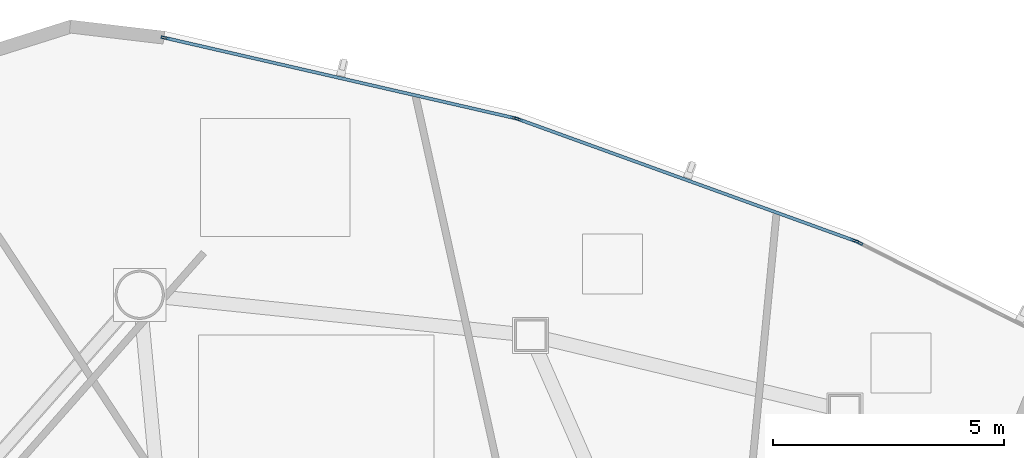
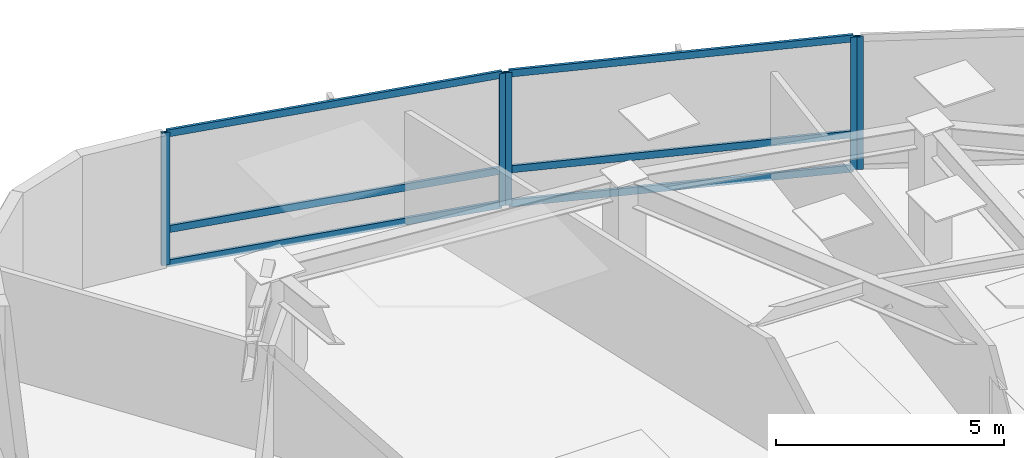
# One storey, part 9 of 18: 11 members, 3 elements without a shape of their own.
"""IFC4 building model written with IfcOpenShell, lengths in metres."""

import ifcopenshell
import ifcopenshell.guid

model = None  # the IFC model being written
_history = None  # IfcOwnerHistory: only IFC2X3 demands one
_inside = {}  # id of a spatial element -> (the spatial element, [elements in it])
_under = {}  # id of a project, library or spatial element -> (it, [spatial elements below it])
_declared = {}  # id of a project -> (the project, [libraries it declares])
_typed = {}  # id of a type object -> (the type object, [elements of that type])
_made_of = {}  # id of a material, layer set ... -> (it, [elements and type objects made of it])


def new_model(schema):
    """Start an empty IFC model of exactly this schema.

    Asked for "IFC4X3", IfcOpenShell would pick the latest addendum, in which some entities
    have other attributes; the version numbers below select the first issue.
    IFC2X3 requires an IfcOwnerHistory on every rooted entity: one is made here for all.
    """
    global model, _history
    if schema == "IFC4X3":
        model = ifcopenshell.file(schema_version=(4, 3, 0, 0))
    else:
        model = ifcopenshell.file(schema=schema)
    _inside.clear()
    _under.clear()
    _declared.clear()
    _typed.clear()
    _made_of.clear()
    _history = None
    if model.schema == "IFC2X3":
        org = make("IfcOrganization", Name="unknown")
        user = make(
            "IfcPersonAndOrganization",
            ThePerson=make("IfcPerson", FamilyName="unknown"),
            TheOrganization=org,
        )
        app = make(
            "IfcApplication",
            ApplicationDeveloper=org,
            Version="unknown",
            ApplicationFullName="unknown",
            ApplicationIdentifier="unknown",
        )
        _history = make(
            "IfcOwnerHistory",
            OwningUser=user,
            OwningApplication=app,
            ChangeAction="ADDED",
            CreationDate=0,
        )
    return model


def make(cls, **values):
    """One entity of the class cls with the attributes given. An attribute that is None is left unset."""
    return model.create_entity(
        cls, **{name: value for name, value in values.items() if value is not None}
    )


def rooted(cls, **values):
    """An entity with a GlobalId (a new one), such as an element, a storey or a relation."""
    return make(cls, GlobalId=ifcopenshell.guid.new(), OwnerHistory=_history, **values)


def si_unit(unit_type, name, prefix=None):
    """IfcSIUnit, for example si_unit("LENGTHUNIT", "METRE", prefix="MILLI")."""
    return make("IfcSIUnit", UnitType=unit_type, Prefix=prefix, Name=name)


def assignment(units):
    """IfcUnitAssignment: the units of a project."""
    return None if units is None else make("IfcUnitAssignment", Units=units)


def point(xyz):
    """IfcCartesianPoint."""
    return None if xyz is None else make("IfcCartesianPoint", Coordinates=xyz)


def direction(xyz):
    """IfcDirection."""
    return None if xyz is None else make("IfcDirection", DirectionRatios=xyz)


def frame(location, z_axis=None, x_axis=None):
    """IfcAxis2Placement3D, a coordinate frame: its origin and axes. An axis left out is left unset."""
    return make(
        "IfcAxis2Placement3D",
        Location=point(location),
        Axis=direction(z_axis),
        RefDirection=direction(x_axis),
    )


def frame_2d(location, x_axis=None):
    """IfcAxis2Placement2D, a coordinate frame in the plane: its origin and x axis."""
    return make(
        "IfcAxis2Placement2D", Location=point(location), RefDirection=direction(x_axis)
    )


def origin():
    """The frame at (0, 0, 0) with its axes left unset."""
    return frame((0.0, 0.0, 0.0))


def origin_2d():
    """The frame at (0, 0) in the plane with its x axis left unset."""
    return frame_2d((0.0, 0.0))


def place(relative_to, where):
    """IfcLocalPlacement: puts the frame where relative to a parent placement (None: the world)."""
    return make(
        "IfcLocalPlacement", PlacementRelTo=relative_to, RelativePlacement=where
    )


def context(
    kind, dimensions, precision=None, world=None, true_north=None, identifier=None
):
    """IfcGeometricRepresentationContext, for example the 3D "Model" context."""
    return make(
        "IfcGeometricRepresentationContext",
        ContextIdentifier=identifier,
        ContextType=kind,
        CoordinateSpaceDimension=dimensions,
        Precision=precision,
        WorldCoordinateSystem=world,
        TrueNorth=true_north,
    )


def subcontext(parent, identifier, kind, view, scale=None):
    """IfcGeometricRepresentationSubContext, for example "Body" below "Model"."""
    return make(
        "IfcGeometricRepresentationSubContext",
        ContextIdentifier=identifier,
        ContextType=kind,
        ParentContext=parent,
        TargetScale=scale,
        TargetView=view,
    )


def project(units=None, contexts=None):
    """IfcProject with its units and contexts."""
    return rooted(
        "IfcProject",
        Name="project",
        RepresentationContexts=contexts,
        UnitsInContext=assignment(units),
    )


def spatial(cls, under=None, at=None, **own):
    """A site, building, storey or space (cls), placed at a placement, below another one or the project."""
    s = rooted(cls, ObjectPlacement=at, **own)
    if under is not None:
        _under.setdefault(under.id(), (under, []))[1].append(s)
    return s


def profile(cls, at=None, kind="AREA", **sizes):
    """A parametric profile (cls). Its sizes go by their IFC names, for example OverallWidth=200.0."""
    return make(cls, ProfileType=kind, Position=at, **sizes)


def hollow_rectangle(**sizes):
    """IfcRectangleHollowProfileDef."""
    return profile("IfcRectangleHollowProfileDef", **sizes)


def extrude(swept, where, along, depth):
    """IfcExtrudedAreaSolid: the profile swept, set in the frame where, extruded along a direction by depth."""
    return make(
        "IfcExtrudedAreaSolid",
        SweptArea=swept,
        Position=where,
        ExtrudedDirection=direction(along),
        Depth=depth,
    )


def shape(context_of_items, identifier, shape_type, items):
    """IfcShapeRepresentation: the items that make up one representation, for example the "Body"."""
    return make(
        "IfcShapeRepresentation",
        ContextOfItems=context_of_items,
        RepresentationIdentifier=identifier,
        RepresentationType=shape_type,
        Items=items,
    )


def source(mapping_origin, context_of_items, identifier, shape_type, items):
    """IfcRepresentationMap: a shape defined once, which mapped items show again and again."""
    return make(
        "IfcRepresentationMap",
        MappingOrigin=mapping_origin,
        MappedRepresentation=shape(context_of_items, identifier, shape_type, items),
    )


def transform(
    local_origin,
    x_axis=None,
    y_axis=None,
    z_axis=None,
    scale=None,
    scale2=None,
    scale3=None,
    uniform=True,
):
    """IfcCartesianTransformationOperator3D, or its non-uniform kind. x_axis, y_axis, z_axis: its Axis1, 2, 3."""
    if uniform:
        return make(
            "IfcCartesianTransformationOperator3D",
            Axis1=direction(x_axis),
            Axis2=direction(y_axis),
            LocalOrigin=point(local_origin),
            Scale=scale,
            Axis3=direction(z_axis),
        )
    return make(
        "IfcCartesianTransformationOperator3DnonUniform",
        Axis1=direction(x_axis),
        Axis2=direction(y_axis),
        LocalOrigin=point(local_origin),
        Scale=scale,
        Axis3=direction(z_axis),
        Scale2=scale2,
        Scale3=scale3,
    )


def mapped(mapping_source, mapping_target):
    """IfcMappedItem: shows the shape of a source again, moved by a transform."""
    return make(
        "IfcMappedItem", MappingSource=mapping_source, MappingTarget=mapping_target
    )


def material(Name=None, Category=None):
    """IfcMaterial."""
    return make("IfcMaterial", Name=Name, Category=Category)


def layer(
    of_material, thickness, ventilated=None, Name=None, Category=None, Priority=None
):
    """IfcMaterialLayer: one layer of a wall or slab, of a material (None: an air gap)."""
    return make(
        "IfcMaterialLayer",
        Material=of_material,
        LayerThickness=thickness,
        IsVentilated=ventilated,
        Name=Name,
        Category=Category,
        Priority=Priority,
    )


def layer_set(layers, Name=None):
    """IfcMaterialLayerSet."""
    return make("IfcMaterialLayerSet", MaterialLayers=layers, LayerSetName=Name)


def material_profile(
    of_material, cross_section, Name=None, Category=None, Priority=None
):
    """IfcMaterialProfile: a cross section and its material."""
    return make(
        "IfcMaterialProfile",
        Name=Name,
        Material=of_material,
        Profile=cross_section,
        Priority=Priority,
        Category=Category,
    )


def profile_set(profiles, Name=None, composite=None):
    """IfcMaterialProfileSet."""
    return make(
        "IfcMaterialProfileSet",
        Name=Name,
        MaterialProfiles=profiles,
        CompositeProfile=composite,
    )


def made_of(thing, what):
    """Note that an element or type object is made of a material, layer set ...; save() writes the relation."""
    if what is not None:
        _made_of.setdefault(what.id(), (what, []))[1].append(thing)
    return thing


def type_object(cls, material=None, **own):
    """A type object (cls), such as IfcWallType, which elements share."""
    return made_of(rooted(cls, **own), material)


def type_shapes(of_type, sources):
    """Give a type object the sources (RepresentationMaps) that its elements show as mapped items."""
    of_type.RepresentationMaps = sources


def element(
    cls,
    number,
    at=None,
    inside=None,
    cuts=None,
    type_object=None,
    material=None,
    context=None,
    identifier="Body",
    shape_type=None,
    held_by="IfcProductDefinitionShape",
    body=None,
    shapes=None,
    **own,
):
    """One element of the class cls, such as IfcWall. Its Tag is "e" and its number.

    at: its placement. inside: the storey or other place that contains it. cuts: it is an
    opening in that element (IfcRelVoidsElement). A single representation is given by context,
    identifier, shape_type and body (its items); several are given by shapes. held_by: the class
    of the entity that holds the representations. save() writes the other relations.
    """
    e = rooted(cls, Tag="e%d" % number, ObjectPlacement=at, **own)
    if body is not None:
        shapes = [shape(context, identifier, shape_type, body)]
    if shapes is not None:
        e.Representation = make(held_by, Representations=shapes)
    if inside is not None:
        _inside.setdefault(inside.id(), (inside, []))[1].append(e)
    if cuts is not None:
        rooted(
            "IfcRelVoidsElement", RelatingBuildingElement=cuts, RelatedOpeningElement=e
        )
    if type_object is not None:
        _typed.setdefault(type_object.id(), (type_object, []))[1].append(e)
    return made_of(e, material)


def aggregate(whole, parts):
    """IfcRelAggregates: a whole, such as a stair, and the parts it consists of."""
    return rooted("IfcRelAggregates", RelatingObject=whole, RelatedObjects=parts)


def save(model, path):
    """Write the relations noted so far, then the file.

    IfcRelAggregates (storeys below a building ...), IfcRelContainedInSpatialStructure (elements
    in a storey), IfcRelDefinesByType, IfcRelAssociatesMaterial and IfcRelDeclares: one each for
    every whole, place, type object, material and project.
    """
    for whole, parts in _under.values():
        aggregate(whole, parts)
    for where, things in _inside.values():
        rooted(
            "IfcRelContainedInSpatialStructure",
            RelatedElements=things,
            RelatingStructure=where,
        )
    for kind, things in _typed.values():
        rooted("IfcRelDefinesByType", RelatedObjects=things, RelatingType=kind)
    for what, things in _made_of.values():
        rooted("IfcRelAssociatesMaterial", RelatedObjects=things, RelatingMaterial=what)
    for by, libraries in _declared.values():
        rooted("IfcRelDeclares", RelatingContext=by, RelatedDefinitions=libraries)
    model.write(path)


model = new_model("IFC4")

# Units and contexts
model_context = context("Model", 3, precision=1e-05, world=origin(), true_north=direction((0.0, 1.0)))
body_context = subcontext(model_context, "Body", "Model", "MODEL_VIEW")
ifc_project = project(units=[si_unit("LENGTHUNIT", "METRE"), si_unit("AREAUNIT", "SQUARE_METRE"), si_unit("VOLUMEUNIT", "CUBIC_METRE"), si_unit("PLANEANGLEUNIT", "RADIAN"), si_unit("MASSUNIT", "GRAM", prefix="KILO")], contexts=[model_context])

# Site, building, storey
site_placement = place(None, origin())
site = spatial("IfcSite", under=ifc_project, at=site_placement, CompositionType="ELEMENT")
building_placement = place(site_placement, origin())
building = spatial("IfcBuilding", under=site, at=building_placement, Name="Tavelor Broadcast Tower", CompositionType="ELEMENT")
storey_placement = place(building_placement, frame((0.0, 0.0, 157.949951171875)))
storey = spatial("IfcBuildingStorey", under=building, at=storey_placement, Name="L37", CompositionType="ELEMENT", Elevation=157.949951171875)

# Curtain wall, member
ifc_material = material(Name="Architectural Anodized Aluminium", Category="aluminium")
ifc_layer = layer(ifc_material, 0.18994140625)
ifc_layer_set = layer_set([ifc_layer], Name="Architectural Anodized Aluminium")
curtain_wall_type = type_object("IfcCurtainWallType", Name="Tower Mid-Zone Acoustic Curtain Wall CW03", PredefinedType="NOTDEFINED", material=ifc_layer_set)
curtain_wall_1_placement = place(storey_placement, origin())
curtain_wall_1 = element("IfcCurtainWall", 1, at=curtain_wall_1_placement, inside=storey, type_object=curtain_wall_type, Name="L37 Curtain Wall CW03 Run 394", PredefinedType="NOTDEFINED")
ifc_material_profile_1 = material_profile(ifc_material, hollow_rectangle(XDim=0.068115234375, YDim=0.18994140625, WallThickness=0.02197265625, at=origin_2d()), Name="RHS 68x190x22")
ifc_profile_set_1 = profile_set([ifc_material_profile_1], Name="Architectural Anodized Aluminium")
member_type_1 = type_object("IfcMemberType", Name="CW03 Extruded Aluminium Mullion 68x190", PredefinedType="MULLION", material=ifc_profile_set_1)
shared_shape_1 = source(origin(), body_context, "Body", "SweptSolid", [
    extrude(hollow_rectangle(XDim=0.068115234375, YDim=0.18994140625, WallThickness=0.02197265625, at=origin_2d()), origin(), (0.0, 0.0, 1.0), 3.550048828125),
])
type_shapes(member_type_1, [shared_shape_1])
member_1_placement = place(storey_placement, frame((57.57763671875, 67.2099609375, 0.0), z_axis=(0.0, 0.0, 1.0), x_axis=(-0.451247689212, -0.892398746627, 0.0)))
member_1 = element("IfcMember", 2, at=member_1_placement, type_object=member_type_1, Name="CW03 mullion 2", PredefinedType="MULLION", context=body_context, shape_type="MappedRepresentation", body=[
    mapped(shared_shape_1, transform((0.0, 0.0, 0.0), scale=1.0)),
])
aggregate(curtain_wall_1, [member_1])

# Curtain wall, members
curtain_wall_2_placement = place(storey_placement, origin())
curtain_wall_2 = element("IfcCurtainWall", 3, at=curtain_wall_2_placement, inside=storey, type_object=curtain_wall_type, Name="L37 Curtain Wall CW03 Run 395", PredefinedType="NOTDEFINED")
member_2_placement = place(storey_placement, frame((57.488037109375, 67.248779296875, 0.0), z_axis=(0.0, 0.0, 1.0), x_axis=(-0.339960568351, -0.940439690765, 0.0)))
member_2 = element("IfcMember", 4, at=member_2_placement, type_object=member_type_1, Name="CW03 mullion 1", PredefinedType="MULLION", context=body_context, shape_type="MappedRepresentation", body=[
    mapped(shared_shape_1, transform((0.0, 0.0, 0.0), scale=1.0)),
])
member_3_placement = place(storey_placement, frame((50.212158203125, 69.87890625, 0.0), z_axis=(0.0, 0.0, 1.0), x_axis=(-0.339960568351, -0.940439690765, 0.0)))
member_3 = element("IfcMember", 5, at=member_3_placement, type_object=member_type_1, Name="CW03 mullion 2", PredefinedType="MULLION", context=body_context, shape_type="MappedRepresentation", body=[
    mapped(shared_shape_1, transform((0.0, 0.0, 0.0), scale=1.0)),
])

curtain_wall_3_placement = place(storey_placement, origin())
curtain_wall_3 = element("IfcCurtainWall", 6, at=curtain_wall_3_placement, inside=storey, type_object=curtain_wall_type, Name="L37 Curtain Wall CW03 Run 396", PredefinedType="NOTDEFINED")
member_4_placement = place(storey_placement, frame((50.118408203125, 69.906494140625, 0.0), z_axis=(0.0, 0.0, 1.0), x_axis=(-0.223652783737, -0.97466888343, 0.0)))
member_4 = element("IfcMember", 7, at=member_4_placement, type_object=member_type_1, Name="CW03 mullion 1", PredefinedType="MULLION", context=body_context, shape_type="MappedRepresentation", body=[
    mapped(shared_shape_1, transform((0.0, 0.0, 0.0), scale=1.0)),
])
member_5_placement = place(storey_placement, frame((42.562255859375, 71.640380859375, 0.0), z_axis=(0.0, 0.0, 1.0), x_axis=(-0.223652783737, -0.97466888343, 0.0)))
member_5 = element("IfcMember", 8, at=member_5_placement, type_object=member_type_1, Name="CW03 mullion 2", PredefinedType="MULLION", context=body_context, shape_type="MappedRepresentation", body=[
    mapped(shared_shape_1, transform((0.0, 0.0, 0.0), scale=1.0)),
])

# Member
ifc_material_profile_2 = material_profile(ifc_material, hollow_rectangle(XDim=0.068115234375, YDim=0.18994140625, WallThickness=0.02197265625, at=origin_2d()), Name="RHS 68x190x22")
ifc_profile_set_2 = profile_set([ifc_material_profile_2], Name="Architectural Anodized Aluminium")
member_type_2 = type_object("IfcMemberType", Name="CW03 Extruded Aluminium Transom 68x190", PredefinedType="USERDEFINED", material=ifc_profile_set_2)
shared_shape_2 = source(origin(), body_context, "Body", "SweptSolid", [
    extrude(hollow_rectangle(XDim=0.068115234375, YDim=0.18994140625, WallThickness=0.02197265625, at=origin_2d()), origin(), (0.0, 0.0, 1.0), 7.668701171875),
])
member_6_placement = place(storey_placement, frame((57.4560546875, 67.26025390625, 0.033935546875), z_axis=(-0.940444238229, 0.339947988348, 0.0), x_axis=(-0.339947988348, -0.940444238229, 0.0)))
member_6 = element("IfcMember", 9, at=member_6_placement, type_object=member_type_2, Name="CW03 transom 1.1", ObjectType="TRANSOM", PredefinedType="USERDEFINED", context=body_context, shape_type="MappedRepresentation", body=[
    mapped(shared_shape_2, transform((0.0, 0.0, 0.0), scale=1.0)),
])

member_7_placement = place(storey_placement, frame((57.4560546875, 67.26025390625, 0.949951171875), z_axis=(-0.940444238229, 0.339947988348, 0.0), x_axis=(-0.339947988348, -0.940444238229, 0.0)))
member_7 = element("IfcMember", 10, at=member_7_placement, type_object=member_type_2, Name="CW03 transom 1.2", ObjectType="TRANSOM", PredefinedType="USERDEFINED", context=body_context, shape_type="MappedRepresentation", body=[
    mapped(shared_shape_2, transform((0.0, 0.0, 0.0), scale=1.0)),
])

member_8_placement = place(storey_placement, frame((57.4560546875, 67.26025390625, 3.51611328125), z_axis=(-0.940444238229, 0.339947988348, 0.0), x_axis=(-0.339947988348, -0.940444238229, 0.0)))
member_8 = element("IfcMember", 11, at=member_8_placement, type_object=member_type_2, Name="CW03 transom 1.3", ObjectType="TRANSOM", PredefinedType="USERDEFINED", context=body_context, shape_type="MappedRepresentation", body=[
    mapped(shared_shape_2, transform((0.0, 0.0, 0.0), scale=1.0)),
])

aggregate(curtain_wall_2, [member_2, member_3, member_6, member_7, member_8])

shared_shape_3 = source(origin(), body_context, "Body", "SweptSolid", [
    extrude(hollow_rectangle(XDim=0.068115234375, YDim=0.18994140625, WallThickness=0.02197265625, at=origin_2d()), origin(), (0.0, 0.0, 1.0), 7.684326171875),
])
type_shapes(member_type_2, [shared_shape_2, shared_shape_3])
member_9_placement = place(storey_placement, frame((50.085205078125, 69.9140625, 0.033935546875), z_axis=(-0.974665694038, 0.22366668251, 0.0), x_axis=(-0.22366668251, -0.974665694038, 0.0)))
member_9 = element("IfcMember", 12, at=member_9_placement, type_object=member_type_2, Name="CW03 transom 1.1", ObjectType="TRANSOM", PredefinedType="USERDEFINED", context=body_context, shape_type="MappedRepresentation", body=[
    mapped(shared_shape_3, transform((0.0, 0.0, 0.0), scale=1.0)),
])

member_10_placement = place(storey_placement, frame((50.085205078125, 69.9140625, 0.949951171875), z_axis=(-0.974665694038, 0.22366668251, 0.0), x_axis=(-0.22366668251, -0.974665694038, 0.0)))
member_10 = element("IfcMember", 13, at=member_10_placement, type_object=member_type_2, Name="CW03 transom 1.2", ObjectType="TRANSOM", PredefinedType="USERDEFINED", context=body_context, shape_type="MappedRepresentation", body=[
    mapped(shared_shape_3, transform((0.0, 0.0, 0.0), scale=1.0)),
])

member_11_placement = place(storey_placement, frame((50.085205078125, 69.9140625, 3.51611328125), z_axis=(-0.974665694038, 0.22366668251, 0.0), x_axis=(-0.22366668251, -0.974665694038, 0.0)))
member_11 = element("IfcMember", 14, at=member_11_placement, type_object=member_type_2, Name="CW03 transom 1.3", ObjectType="TRANSOM", PredefinedType="USERDEFINED", context=body_context, shape_type="MappedRepresentation", body=[
    mapped(shared_shape_3, transform((0.0, 0.0, 0.0), scale=1.0)),
])

aggregate(curtain_wall_3, [member_4, member_5, member_9, member_10, member_11])

save(model, "model.ifc")
